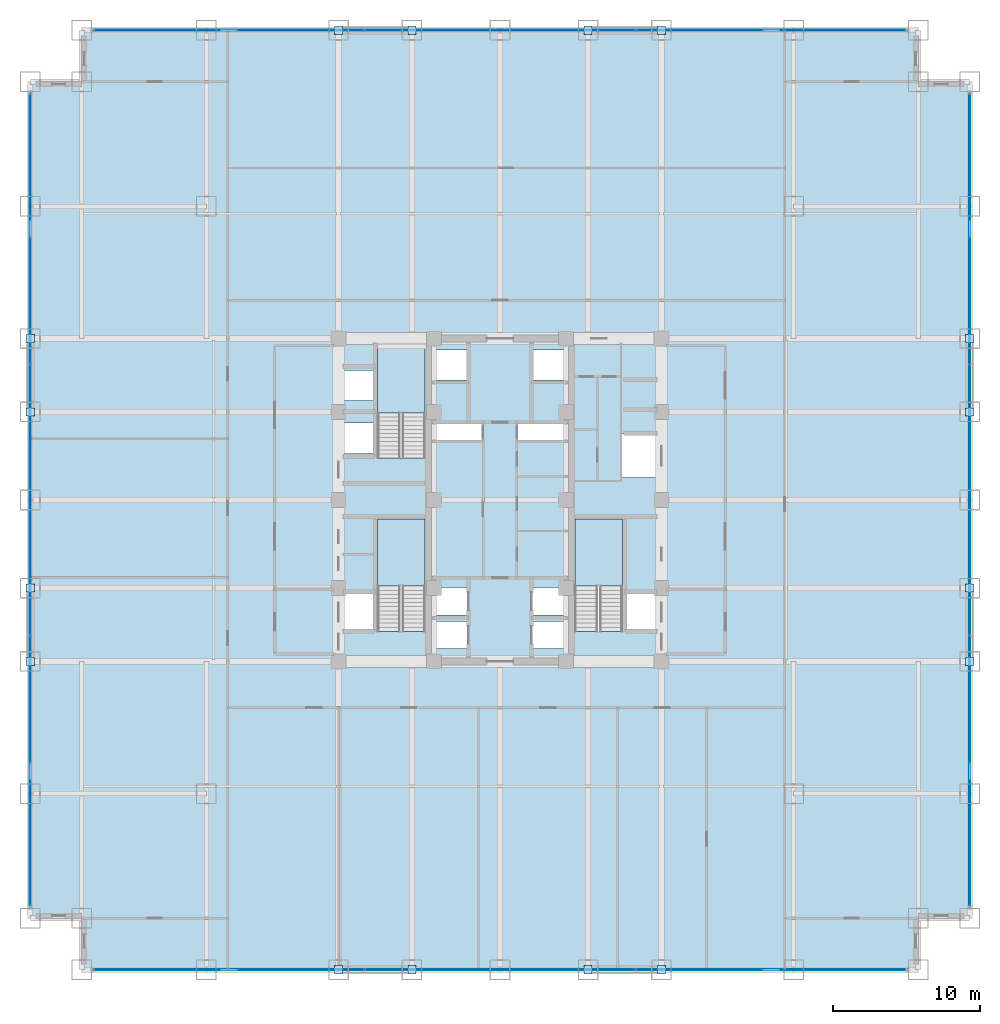
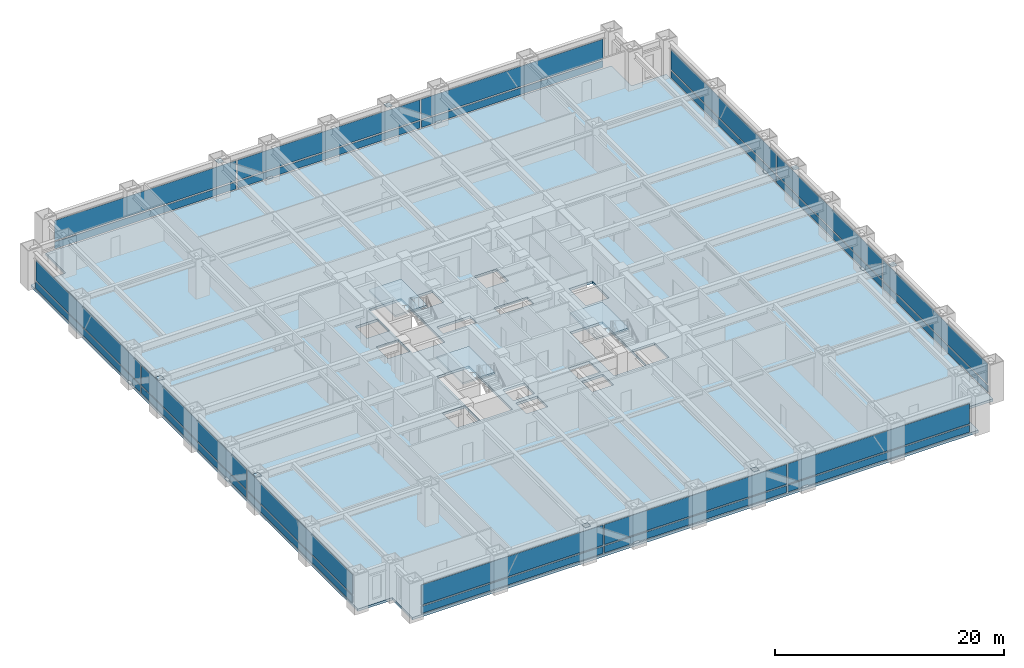
# One storey, part 22 of 27: 40 plates, 4 slabs, 7 elements without a shape of their own.
"""IFC4 building model written with IfcOpenShell, lengths in metres."""

import ifcopenshell
import ifcopenshell.guid

model = None  # the IFC model being written
_history = None  # IfcOwnerHistory: only IFC2X3 demands one
_inside = {}  # id of a spatial element -> (the spatial element, [elements in it])
_under = {}  # id of a project, library or spatial element -> (it, [spatial elements below it])
_declared = {}  # id of a project -> (the project, [libraries it declares])
_typed = {}  # id of a type object -> (the type object, [elements of that type])
_made_of = {}  # id of a material, layer set ... -> (it, [elements and type objects made of it])


def new_model(schema):
    """Start an empty IFC model of exactly this schema.

    Asked for "IFC4X3", IfcOpenShell would pick the latest addendum, in which some entities
    have other attributes; the version numbers below select the first issue.
    IFC2X3 requires an IfcOwnerHistory on every rooted entity: one is made here for all.
    """
    global model, _history
    if schema == "IFC4X3":
        model = ifcopenshell.file(schema_version=(4, 3, 0, 0))
    else:
        model = ifcopenshell.file(schema=schema)
    _inside.clear()
    _under.clear()
    _declared.clear()
    _typed.clear()
    _made_of.clear()
    _history = None
    if model.schema == "IFC2X3":
        org = make("IfcOrganization", Name="unknown")
        user = make(
            "IfcPersonAndOrganization",
            ThePerson=make("IfcPerson", FamilyName="unknown"),
            TheOrganization=org,
        )
        app = make(
            "IfcApplication",
            ApplicationDeveloper=org,
            Version="unknown",
            ApplicationFullName="unknown",
            ApplicationIdentifier="unknown",
        )
        _history = make(
            "IfcOwnerHistory",
            OwningUser=user,
            OwningApplication=app,
            ChangeAction="ADDED",
            CreationDate=0,
        )
    return model


def make(cls, **values):
    """One entity of the class cls with the attributes given. An attribute that is None is left unset."""
    return model.create_entity(
        cls, **{name: value for name, value in values.items() if value is not None}
    )


def rooted(cls, **values):
    """An entity with a GlobalId (a new one), such as an element, a storey or a relation."""
    return make(cls, GlobalId=ifcopenshell.guid.new(), OwnerHistory=_history, **values)


def si_unit(unit_type, name, prefix=None):
    """IfcSIUnit, for example si_unit("LENGTHUNIT", "METRE", prefix="MILLI")."""
    return make("IfcSIUnit", UnitType=unit_type, Prefix=prefix, Name=name)


def assignment(units):
    """IfcUnitAssignment: the units of a project."""
    return None if units is None else make("IfcUnitAssignment", Units=units)


def point(xyz):
    """IfcCartesianPoint."""
    return None if xyz is None else make("IfcCartesianPoint", Coordinates=xyz)


def direction(xyz):
    """IfcDirection."""
    return None if xyz is None else make("IfcDirection", DirectionRatios=xyz)


def frame(location, z_axis=None, x_axis=None):
    """IfcAxis2Placement3D, a coordinate frame: its origin and axes. An axis left out is left unset."""
    return make(
        "IfcAxis2Placement3D",
        Location=point(location),
        Axis=direction(z_axis),
        RefDirection=direction(x_axis),
    )


def frame_2d(location, x_axis=None):
    """IfcAxis2Placement2D, a coordinate frame in the plane: its origin and x axis."""
    return make(
        "IfcAxis2Placement2D", Location=point(location), RefDirection=direction(x_axis)
    )


def origin():
    """The frame at (0, 0, 0) with its axes left unset."""
    return frame((0.0, 0.0, 0.0))


def origin_2d():
    """The frame at (0, 0) in the plane with its x axis left unset."""
    return frame_2d((0.0, 0.0))


def place(relative_to, where):
    """IfcLocalPlacement: puts the frame where relative to a parent placement (None: the world)."""
    return make(
        "IfcLocalPlacement", PlacementRelTo=relative_to, RelativePlacement=where
    )


def context(
    kind, dimensions, precision=None, world=None, true_north=None, identifier=None
):
    """IfcGeometricRepresentationContext, for example the 3D "Model" context."""
    return make(
        "IfcGeometricRepresentationContext",
        ContextIdentifier=identifier,
        ContextType=kind,
        CoordinateSpaceDimension=dimensions,
        Precision=precision,
        WorldCoordinateSystem=world,
        TrueNorth=true_north,
    )


def subcontext(parent, identifier, kind, view, scale=None):
    """IfcGeometricRepresentationSubContext, for example "Body" below "Model"."""
    return make(
        "IfcGeometricRepresentationSubContext",
        ContextIdentifier=identifier,
        ContextType=kind,
        ParentContext=parent,
        TargetScale=scale,
        TargetView=view,
    )


def project(units=None, contexts=None):
    """IfcProject with its units and contexts."""
    return rooted(
        "IfcProject",
        Name="project",
        RepresentationContexts=contexts,
        UnitsInContext=assignment(units),
    )


def spatial(cls, under=None, at=None, **own):
    """A site, building, storey or space (cls), placed at a placement, below another one or the project."""
    s = rooted(cls, ObjectPlacement=at, **own)
    if under is not None:
        _under.setdefault(under.id(), (under, []))[1].append(s)
    return s


def polyline(points):
    """IfcPolyline through the points."""
    return make("IfcPolyline", Points=[point(p) for p in points])


def profile(cls, at=None, kind="AREA", **sizes):
    """A parametric profile (cls). Its sizes go by their IFC names, for example OverallWidth=200.0."""
    return make(cls, ProfileType=kind, Position=at, **sizes)


def rectangle(**sizes):
    """IfcRectangleProfileDef."""
    return profile("IfcRectangleProfileDef", **sizes)


def outline(outer, holes=None, kind="AREA"):
    """IfcArbitraryClosedProfileDef: a profile drawn as a closed curve; with holes, ...WithVoids."""
    if holes is None:
        return make("IfcArbitraryClosedProfileDef", ProfileType=kind, OuterCurve=outer)
    return make(
        "IfcArbitraryProfileDefWithVoids",
        ProfileType=kind,
        OuterCurve=outer,
        InnerCurves=holes,
    )


def extrude(swept, where, along, depth):
    """IfcExtrudedAreaSolid: the profile swept, set in the frame where, extruded along a direction by depth."""
    return make(
        "IfcExtrudedAreaSolid",
        SweptArea=swept,
        Position=where,
        ExtrudedDirection=direction(along),
        Depth=depth,
    )


def shape(context_of_items, identifier, shape_type, items):
    """IfcShapeRepresentation: the items that make up one representation, for example the "Body"."""
    return make(
        "IfcShapeRepresentation",
        ContextOfItems=context_of_items,
        RepresentationIdentifier=identifier,
        RepresentationType=shape_type,
        Items=items,
    )


def source(mapping_origin, context_of_items, identifier, shape_type, items):
    """IfcRepresentationMap: a shape defined once, which mapped items show again and again."""
    return make(
        "IfcRepresentationMap",
        MappingOrigin=mapping_origin,
        MappedRepresentation=shape(context_of_items, identifier, shape_type, items),
    )


def transform(
    local_origin,
    x_axis=None,
    y_axis=None,
    z_axis=None,
    scale=None,
    scale2=None,
    scale3=None,
    uniform=True,
):
    """IfcCartesianTransformationOperator3D, or its non-uniform kind. x_axis, y_axis, z_axis: its Axis1, 2, 3."""
    if uniform:
        return make(
            "IfcCartesianTransformationOperator3D",
            Axis1=direction(x_axis),
            Axis2=direction(y_axis),
            LocalOrigin=point(local_origin),
            Scale=scale,
            Axis3=direction(z_axis),
        )
    return make(
        "IfcCartesianTransformationOperator3DnonUniform",
        Axis1=direction(x_axis),
        Axis2=direction(y_axis),
        LocalOrigin=point(local_origin),
        Scale=scale,
        Axis3=direction(z_axis),
        Scale2=scale2,
        Scale3=scale3,
    )


def mapped(mapping_source, mapping_target):
    """IfcMappedItem: shows the shape of a source again, moved by a transform."""
    return make(
        "IfcMappedItem", MappingSource=mapping_source, MappingTarget=mapping_target
    )


def material(Name=None, Category=None):
    """IfcMaterial."""
    return make("IfcMaterial", Name=Name, Category=Category)


def layer(
    of_material, thickness, ventilated=None, Name=None, Category=None, Priority=None
):
    """IfcMaterialLayer: one layer of a wall or slab, of a material (None: an air gap)."""
    return make(
        "IfcMaterialLayer",
        Material=of_material,
        LayerThickness=thickness,
        IsVentilated=ventilated,
        Name=Name,
        Category=Category,
        Priority=Priority,
    )


def layer_set(layers, Name=None):
    """IfcMaterialLayerSet."""
    return make("IfcMaterialLayerSet", MaterialLayers=layers, LayerSetName=Name)


def made_of(thing, what):
    """Note that an element or type object is made of a material, layer set ...; save() writes the relation."""
    if what is not None:
        _made_of.setdefault(what.id(), (what, []))[1].append(thing)
    return thing


def type_object(cls, material=None, **own):
    """A type object (cls), such as IfcWallType, which elements share."""
    return made_of(rooted(cls, **own), material)


def element(
    cls,
    number,
    at=None,
    inside=None,
    cuts=None,
    type_object=None,
    material=None,
    context=None,
    identifier="Body",
    shape_type=None,
    held_by="IfcProductDefinitionShape",
    body=None,
    shapes=None,
    **own,
):
    """One element of the class cls, such as IfcWall. Its Tag is "e" and its number.

    at: its placement. inside: the storey or other place that contains it. cuts: it is an
    opening in that element (IfcRelVoidsElement). A single representation is given by context,
    identifier, shape_type and body (its items); several are given by shapes. held_by: the class
    of the entity that holds the representations. save() writes the other relations.
    """
    e = rooted(cls, Tag="e%d" % number, ObjectPlacement=at, **own)
    if body is not None:
        shapes = [shape(context, identifier, shape_type, body)]
    if shapes is not None:
        e.Representation = make(held_by, Representations=shapes)
    if inside is not None:
        _inside.setdefault(inside.id(), (inside, []))[1].append(e)
    if cuts is not None:
        rooted(
            "IfcRelVoidsElement", RelatingBuildingElement=cuts, RelatedOpeningElement=e
        )
    if type_object is not None:
        _typed.setdefault(type_object.id(), (type_object, []))[1].append(e)
    return made_of(e, material)


def aggregate(whole, parts):
    """IfcRelAggregates: a whole, such as a stair, and the parts it consists of."""
    return rooted("IfcRelAggregates", RelatingObject=whole, RelatedObjects=parts)


def save(model, path):
    """Write the relations noted so far, then the file.

    IfcRelAggregates (storeys below a building ...), IfcRelContainedInSpatialStructure (elements
    in a storey), IfcRelDefinesByType, IfcRelAssociatesMaterial and IfcRelDeclares: one each for
    every whole, place, type object, material and project.
    """
    for whole, parts in _under.values():
        aggregate(whole, parts)
    for where, things in _inside.values():
        rooted(
            "IfcRelContainedInSpatialStructure",
            RelatedElements=things,
            RelatingStructure=where,
        )
    for kind, things in _typed.values():
        rooted("IfcRelDefinesByType", RelatedObjects=things, RelatingType=kind)
    for what, things in _made_of.values():
        rooted("IfcRelAssociatesMaterial", RelatedObjects=things, RelatingMaterial=what)
    for by, libraries in _declared.values():
        rooted("IfcRelDeclares", RelatingContext=by, RelatedDefinitions=libraries)
    model.write(path)


model = new_model("IFC4")

# Units and contexts
model_context = context("Model", 3, precision=1e-05, world=origin(), true_north=direction((0.0, 1.0)))
body_context = subcontext(model_context, "Body", "Model", "MODEL_VIEW")
ifc_project = project(units=[si_unit("LENGTHUNIT", "METRE"), si_unit("AREAUNIT", "SQUARE_METRE"), si_unit("VOLUMEUNIT", "CUBIC_METRE"), si_unit("PLANEANGLEUNIT", "RADIAN"), si_unit("MASSUNIT", "GRAM", prefix="KILO")], contexts=[model_context])

# Site, building, storey
site_placement = place(None, origin())
site = spatial("IfcSite", under=ifc_project, at=site_placement, CompositionType="ELEMENT")
building_placement = place(site_placement, origin())
building = spatial("IfcBuilding", under=site, at=building_placement, Name="Khorayat Bourse Tower", CompositionType="ELEMENT")
storey_placement = place(building_placement, frame((0.0, 0.0, 49.39990234375)))
storey = spatial("IfcBuildingStorey", under=building, at=storey_placement, Name="L10", CompositionType="ELEMENT", Elevation=49.39990234375)

# Stair, slab
ifc_material_1 = material(Name="Concrete C40/50", Category="concrete")
stair_type = type_object("IfcStairType", Name="STR-CORE-1550", PredefinedType="HALF_TURN_STAIR", material=ifc_material_1)
stair_1_placement = place(storey_placement, origin())
stair_1 = element("IfcStair", 1, at=stair_1_placement, inside=storey, type_object=stair_type, Name="L10 Exit Stair ST-1", PredefinedType="HALF_TURN_STAIR")
ifc_layer_1 = layer(ifc_material_1, 0.199951171875)
ifc_layer_set_1 = layer_set([ifc_layer_1], Name="Concrete C40/50")
slab_type_1 = type_object("IfcSlabType", Name="SLB-LANDING-200", PredefinedType="LANDING", material=ifc_layer_set_1)
slab_1_placement = place(storey_placement, frame((0.0, 0.0, 1.900146484375)))
slab_1 = element("IfcSlab", 2, at=slab_1_placement, type_object=slab_type_1, Name="ST-1 landing 1", PredefinedType="LANDING", context=body_context, shape_type="SweptSolid", body=[
    extrude(outline(polyline([(-5.10009765625, -5.8701171875), (-5.10009765625, -1.300048828125), (-8.35009765625, -1.300048828125), (-8.35009765625, -5.8701171875), (-5.10009765625, -5.8701171875)])), origin(), (0.0, 0.0, 1.0), 0.199951171875),
])
aggregate(stair_1, [slab_1])

stair_2_placement = place(storey_placement, origin())
stair_2 = element("IfcStair", 3, at=stair_2_placement, inside=storey, type_object=stair_type, Name="L10 Exit Stair ST-2", PredefinedType="HALF_TURN_STAIR")
slab_2_placement = place(storey_placement, frame((0.0, 0.0, 1.900146484375)))
slab_2 = element("IfcSlab", 4, at=slab_2_placement, type_object=slab_type_1, Name="ST-2 landing 1", PredefinedType="LANDING", context=body_context, shape_type="SweptSolid", body=[
    extrude(outline(polyline([(-5.10009765625, 5.929931640625), (-5.10009765625, 10.5), (-8.35009765625, 10.5), (-8.35009765625, 5.929931640625), (-5.10009765625, 5.929931640625)])), origin(), (0.0, 0.0, 1.0), 0.199951171875),
])
aggregate(stair_2, [slab_2])

stair_3_placement = place(storey_placement, origin())
stair_3 = element("IfcStair", 5, at=stair_3_placement, inside=storey, type_object=stair_type, Name="L10 Exit Stair ST-3", PredefinedType="HALF_TURN_STAIR")
slab_3_placement = place(storey_placement, frame((0.0, 0.0, 1.900146484375)))
slab_3 = element("IfcSlab", 6, at=slab_3_placement, type_object=slab_type_1, Name="ST-3 landing 1", PredefinedType="LANDING", context=body_context, shape_type="SweptSolid", body=[
    extrude(outline(polyline([(8.35009765625, -5.8701171875), (8.35009765625, -1.300048828125), (5.10009765625, -1.300048828125), (5.10009765625, -5.8701171875), (8.35009765625, -5.8701171875)])), origin(), (0.0, 0.0, 1.0), 0.199951171875),
])
aggregate(stair_3, [slab_3])

# Slab
ifc_layer_2 = layer(ifc_material_1, 0.260009765625)
ifc_layer_set_2 = layer_set([ifc_layer_2], Name="Concrete C40/50")
slab_type_2 = type_object("IfcSlabType", Name="SLB-TRADE-260", PredefinedType="FLOOR", material=ifc_layer_set_2)
slab_4_placement = place(storey_placement, frame((0.0, 0.0, -0.260009765625)))
element("IfcSlab", 7, at=slab_4_placement, inside=storey, type_object=slab_type_2, Name="L10 Main Floor Slab", PredefinedType="FLOOR", context=body_context, shape_type="SweptSolid", body=[
    extrude(outline(polyline([(-28.5, -32.0), (28.5, -32.0), (28.5, -28.5), (32.0, -28.5), (32.0, 28.5), (28.5, 28.5), (28.5, 32.0), (-28.5, 32.0), (-28.5, 28.5), (-32.0, 28.5), (-32.0, -28.5), (-28.5, -28.5), (-28.5, -32.0)]), holes=[polyline([(-8.35009765625, -8.945068359375), (-5.10009765625, -8.945068359375), (-5.10009765625, -1.300048828125), (-8.35009765625, -1.300048828125), (-8.35009765625, -8.945068359375)]), polyline([(-8.35009765625, 2.85498046875), (-5.10009765625, 2.85498046875), (-5.10009765625, 10.5), (-8.35009765625, 10.5), (-8.35009765625, 2.85498046875)]), polyline([(5.10009765625, -8.945068359375), (8.35009765625, -8.945068359375), (8.35009765625, -1.300048828125), (5.10009765625, -1.300048828125), (5.10009765625, -8.945068359375)]), polyline([(-4.3798828125, -10.1298828125), (-2.219970703125, -10.1298828125), (-2.219970703125, -8.27001953125), (-4.3798828125, -8.27001953125), (-4.3798828125, -10.1298828125)]), polyline([(2.219970703125, -10.1298828125), (4.3798828125, -10.1298828125), (4.3798828125, -8.27001953125), (2.219970703125, -8.27001953125), (2.219970703125, -10.1298828125)]), polyline([(-4.3798828125, -7.830078125), (-2.219970703125, -7.830078125), (-2.219970703125, -5.969970703125), (-4.3798828125, -5.969970703125), (-4.3798828125, -7.830078125)]), polyline([(2.219970703125, -7.830078125), (4.3798828125, -7.830078125), (4.3798828125, -5.969970703125), (2.219970703125, -5.969970703125), (2.219970703125, -7.830078125)]), polyline([(-4.3798828125, 8.169921875), (-2.1201171875, 8.169921875), (-2.1201171875, 10.22998046875), (-4.3798828125, 10.22998046875), (-4.3798828125, 8.169921875)]), polyline([(2.1201171875, 8.169921875), (4.3798828125, 8.169921875), (4.3798828125, 10.22998046875), (2.1201171875, 10.22998046875), (2.1201171875, 8.169921875)]), polyline([(-10.679931640625, 3.169921875), (-8.419921875, 3.169921875), (-8.419921875, 5.22998046875), (-10.679931640625, 5.22998046875), (-10.679931640625, 3.169921875)]), polyline([(-10.679931640625, 6.77001953125), (-8.419921875, 6.77001953125), (-8.419921875, 8.830078125), (-10.679931640625, 8.830078125), (-10.679931640625, 6.77001953125)]), polyline([(-10.679931640625, -8.929931640625), (-8.419921875, -8.929931640625), (-8.419921875, -6.3701171875), (-10.679931640625, -6.3701171875), (-10.679931640625, -8.929931640625)]), polyline([(8.419921875, -8.929931640625), (10.679931640625, -8.929931640625), (10.679931640625, -6.3701171875), (8.419921875, -6.3701171875), (8.419921875, -8.929931640625)]), polyline([(8.320068359375, 1.52001953125), (10.679931640625, 1.52001953125), (10.679931640625, 4.47998046875), (8.320068359375, 4.47998046875), (8.320068359375, 1.52001953125)]), polyline([(-4.56005859375, 4.080078125), (-1.18994140625, 4.080078125), (-1.18994140625, 5.219970703125), (-4.56005859375, 5.219970703125), (-4.56005859375, 4.080078125)]), polyline([(1.18994140625, 4.080078125), (4.56005859375, 4.080078125), (4.56005859375, 5.219970703125), (1.18994140625, 5.219970703125), (1.18994140625, 4.080078125)])]), origin(), (0.0, 0.0, 1.0), 0.260009765625),
])

# Plates
ifc_material_2 = material(Name="Steel EN 10025-2 S355J2", Category="steel")
ifc_layer_3 = layer(ifc_material_2, 0.02490234375)
ifc_layer_set_3 = layer_set([ifc_layer_3], Name="Steel EN 10025-2 S355J2")
plate_type_1 = type_object("IfcPlateType", Name="PLT-ENDCAP-25", PredefinedType="SHEET", material=ifc_layer_set_3)
shared_shape_1 = source(origin(), body_context, "Body", "SweptSolid", [
    extrude(rectangle(XDim=0.56005859375, YDim=0.56005859375, at=origin_2d()), origin(), (0.0, 0.0, 1.0), 0.02490234375),
])
for number, where, z_axis, x_axis, name in (
    (8, (-11.0, -32.0, 3.677734375), (0.0, 0.0, 1.0), (1.0, 0.0, 0.0), "L10 Perimeter Brace End Plate 001"),
    (9, (-6.0, -32.0, 0.237548828125), (0.0, 0.0, 1.0), (1.0, 0.0, 0.0), "L10 Perimeter Brace End Plate 002"),
    (10, (6.0, -32.0, 3.677734375), (0.0, 0.0, 1.0), (1.0, 0.0, 0.0), "L10 Perimeter Brace End Plate 003"),
    (11, (11.0, -32.0, 0.237548828125), (0.0, 0.0, 1.0), (1.0, 0.0, 0.0), "L10 Perimeter Brace End Plate 004"),
    (12, (-11.0, 32.0, 3.677734375), (0.0, 0.0, 1.0), (1.0, 0.0, 0.0), "L10 Perimeter Brace End Plate 005"),
    (13, (-6.0, 32.0, 0.237548828125), (0.0, 0.0, 1.0), (1.0, 0.0, 0.0), "L10 Perimeter Brace End Plate 006"),
    (14, (6.0, 32.0, 3.677734375), (0.0, 0.0, 1.0), (1.0, 0.0, 0.0), "L10 Perimeter Brace End Plate 007"),
    (15, (11.0, 32.0, 0.237548828125), (0.0, 0.0, 1.0), (1.0, 0.0, 0.0), "L10 Perimeter Brace End Plate 008"),
    (16, (-32.0, -11.0, 3.677734375), (0.0, 0.0, 1.0), (1.0, 0.0, 0.0), "L10 Perimeter Brace End Plate 009"),
    (17, (-32.0, -6.0, 0.237548828125), (0.0, 0.0, 1.0), (1.0, 0.0, 0.0), "L10 Perimeter Brace End Plate 010"),
    (18, (-32.0, 6.0, 3.677734375), (0.0, 0.0, 1.0), (1.0, 0.0, 0.0), "L10 Perimeter Brace End Plate 011"),
    (19, (-32.0, 11.0, 0.237548828125), (0.0, 0.0, 1.0), (1.0, 0.0, 0.0), "L10 Perimeter Brace End Plate 012"),
    (20, (32.0, -11.0, 3.677734375), (0.0, 0.0, 1.0), (1.0, 0.0, 0.0), "L10 Perimeter Brace End Plate 013"),
    (21, (32.0, -6.0, 0.237548828125), (0.0, 0.0, 1.0), (1.0, 0.0, 0.0), "L10 Perimeter Brace End Plate 014"),
    (22, (32.0, 6.0, 3.677734375), (0.0, 0.0, 1.0), (1.0, 0.0, 0.0), "L10 Perimeter Brace End Plate 015"),
    (23, (32.0, 11.0, 0.237548828125), (0.0, 0.0, 1.0), (1.0, 0.0, 0.0), "L10 Perimeter Brace End Plate 016"),
):
    element("IfcPlate", number, at=place(storey_placement, frame(where, z_axis=z_axis, x_axis=x_axis)), inside=storey, type_object=plate_type_1, Name=name, PredefinedType="SHEET", context=body_context, shape_type="MappedRepresentation", body=[
        mapped(shared_shape_1, transform((0.0, 0.0, 0.0), scale=1.0)),
    ])

# Curtain wall, plates
ifc_material_3 = material(Name="Aluminium EN AW-6063 T6", Category="aluminium")
curtain_wall_type = type_object("IfcCurtainWallType", Name="CW-SYS-02", PredefinedType="NOTDEFINED", material=ifc_material_3)
curtain_wall_1_placement = place(storey_placement, origin())
curtain_wall_1 = element("IfcCurtainWall", 24, at=curtain_wall_1_placement, inside=storey, type_object=curtain_wall_type, Name="L10 Curtain Wall CW-L10-S1", PredefinedType="NOTDEFINED")
ifc_material_4 = material(Name="Honed desert limestone insulated spandrel", Category="masonry")
ifc_layer_4 = layer(ifc_material_4, 0.06494140625)
ifc_layer_set_4 = layer_set([ifc_layer_4], Name="Honed desert limestone insulated spandrel")
plate_type_2 = type_object("IfcPlateType", Name="CWP-SPAND-03", PredefinedType="CURTAIN_PANEL", material=ifc_layer_set_4)
shared_shape_2 = source(origin(), body_context, "Body", "SweptSolid", [
    extrude(rectangle(XDim=18.2900390625, YDim=0.06494140625, at=origin_2d()), origin(), (0.0, 0.0, 1.0), 0.739990234375),
])
plate_1_placement = place(storey_placement, frame((-18.465087890625, -32.0, 0.14013671875), z_axis=(0.0, 0.0, 1.0), x_axis=(1.0, 0.0, 0.0)))
plate_1 = element("IfcPlate", 25, at=plate_1_placement, type_object=plate_type_2, Name="CW-L10-S1 Spandrel Panel 1-1", PredefinedType="CURTAIN_PANEL", context=body_context, shape_type="MappedRepresentation", body=[
    mapped(shared_shape_2, transform((0.0, 0.0, 0.0), scale=1.0)),
])
plate_2_placement = place(storey_placement, frame((18.465087890625, -32.0, 0.14013671875), z_axis=(0.0, 0.0, 1.0), x_axis=(1.0, 0.0, 0.0)))
plate_2 = element("IfcPlate", 26, at=plate_2_placement, type_object=plate_type_2, Name="CW-L10-S1 Spandrel Panel 3-1", PredefinedType="CURTAIN_PANEL", context=body_context, shape_type="MappedRepresentation", body=[
    mapped(shared_shape_2, transform((0.0, 0.0, 0.0), scale=1.0)),
])

curtain_wall_2_placement = place(storey_placement, origin())
curtain_wall_2 = element("IfcCurtainWall", 27, at=curtain_wall_2_placement, inside=storey, type_object=curtain_wall_type, Name="L10 Curtain Wall CW-L10-N1", PredefinedType="NOTDEFINED")
plate_3_placement = place(storey_placement, frame((-18.465087890625, 32.0, 0.14013671875), z_axis=(0.0, 0.0, 1.0), x_axis=(1.0, 0.0, 0.0)))
plate_3 = element("IfcPlate", 28, at=plate_3_placement, type_object=plate_type_2, Name="CW-L10-N1 Spandrel Panel 1-1", PredefinedType="CURTAIN_PANEL", context=body_context, shape_type="MappedRepresentation", body=[
    mapped(shared_shape_2, transform((0.0, 0.0, 0.0), scale=1.0)),
])
plate_4_placement = place(storey_placement, frame((18.465087890625, 32.0, 0.14013671875), z_axis=(0.0, 0.0, 1.0), x_axis=(1.0, 0.0, 0.0)))
plate_4 = element("IfcPlate", 29, at=plate_4_placement, type_object=plate_type_2, Name="CW-L10-N1 Spandrel Panel 3-1", PredefinedType="CURTAIN_PANEL", context=body_context, shape_type="MappedRepresentation", body=[
    mapped(shared_shape_2, transform((0.0, 0.0, 0.0), scale=1.0)),
])

curtain_wall_3_placement = place(storey_placement, origin())
curtain_wall_3 = element("IfcCurtainWall", 30, at=curtain_wall_3_placement, inside=storey, type_object=curtain_wall_type, Name="L10 Curtain Wall CW-L10-W1", PredefinedType="NOTDEFINED")
plate_5_placement = place(storey_placement, frame((-32.0, -18.465087890625, 0.14013671875), z_axis=(0.0, 0.0, 1.0), x_axis=(0.0, 1.0, 0.0)))
plate_5 = element("IfcPlate", 31, at=plate_5_placement, type_object=plate_type_2, Name="CW-L10-W1 Spandrel Panel 1-1", PredefinedType="CURTAIN_PANEL", context=body_context, shape_type="MappedRepresentation", body=[
    mapped(shared_shape_2, transform((0.0, 0.0, 0.0), scale=1.0)),
])
plate_6_placement = place(storey_placement, frame((-32.0, 18.465087890625, 0.14013671875), z_axis=(0.0, 0.0, 1.0), x_axis=(0.0, 1.0, 0.0)))
plate_6 = element("IfcPlate", 32, at=plate_6_placement, type_object=plate_type_2, Name="CW-L10-W1 Spandrel Panel 3-1", PredefinedType="CURTAIN_PANEL", context=body_context, shape_type="MappedRepresentation", body=[
    mapped(shared_shape_2, transform((0.0, 0.0, 0.0), scale=1.0)),
])

curtain_wall_4_placement = place(storey_placement, origin())
curtain_wall_4 = element("IfcCurtainWall", 33, at=curtain_wall_4_placement, inside=storey, type_object=curtain_wall_type, Name="L10 Curtain Wall CW-L10-E1", PredefinedType="NOTDEFINED")
plate_7_placement = place(storey_placement, frame((32.0, -18.465087890625, 0.14013671875), z_axis=(0.0, 0.0, 1.0), x_axis=(0.0, 1.0, 0.0)))
plate_7 = element("IfcPlate", 34, at=plate_7_placement, type_object=plate_type_2, Name="CW-L10-E1 Spandrel Panel 1-1", PredefinedType="CURTAIN_PANEL", context=body_context, shape_type="MappedRepresentation", body=[
    mapped(shared_shape_2, transform((0.0, 0.0, 0.0), scale=1.0)),
])
plate_8_placement = place(storey_placement, frame((32.0, 18.465087890625, 0.14013671875), z_axis=(0.0, 0.0, 1.0), x_axis=(0.0, 1.0, 0.0)))
plate_8 = element("IfcPlate", 35, at=plate_8_placement, type_object=plate_type_2, Name="CW-L10-E1 Spandrel Panel 3-1", PredefinedType="CURTAIN_PANEL", context=body_context, shape_type="MappedRepresentation", body=[
    mapped(shared_shape_2, transform((0.0, 0.0, 0.0), scale=1.0)),
])

# Plate
ifc_material_5 = material(Name="Low-E solar-control laminated double glazing", Category="glass")
ifc_layer_5 = layer(ifc_material_5, 0.0419921875)
ifc_layer_set_5 = layer_set([ifc_layer_5], Name="Low-E solar-control laminated double glazing")
plate_type_3 = type_object("IfcPlateType", Name="CWP-FACET-02", PredefinedType="CURTAIN_PANEL", material=ifc_layer_set_5)
shared_shape_3 = source(origin(), body_context, "Body", "SweptSolid", [
    extrude(rectangle(XDim=18.2900390625, YDim=0.0419921875, at=origin_2d()), origin(), (0.0, 0.0, 1.0), 2.1298828125),
])
plate_9_placement = place(storey_placement, frame((-18.465087890625, -32.0, 1.020263671875), z_axis=(0.0, 0.0, 1.0), x_axis=(1.0, 0.0, 0.0)))
plate_9 = element("IfcPlate", 36, at=plate_9_placement, type_object=plate_type_3, Name="CW-L10-S1 Vision Panel 1-2", PredefinedType="CURTAIN_PANEL", context=body_context, shape_type="MappedRepresentation", body=[
    mapped(shared_shape_3, transform((0.0, 0.0, 0.0), scale=1.0)),
])

plate_10_placement = place(storey_placement, frame((18.465087890625, -32.0, 1.020263671875), z_axis=(0.0, 0.0, 1.0), x_axis=(1.0, 0.0, 0.0)))
plate_10 = element("IfcPlate", 37, at=plate_10_placement, type_object=plate_type_3, Name="CW-L10-S1 Vision Panel 3-2", PredefinedType="CURTAIN_PANEL", context=body_context, shape_type="MappedRepresentation", body=[
    mapped(shared_shape_3, transform((0.0, 0.0, 0.0), scale=1.0)),
])

plate_11_placement = place(storey_placement, frame((-18.465087890625, 32.0, 1.020263671875), z_axis=(0.0, 0.0, 1.0), x_axis=(1.0, 0.0, 0.0)))
plate_11 = element("IfcPlate", 38, at=plate_11_placement, type_object=plate_type_3, Name="CW-L10-N1 Vision Panel 1-2", PredefinedType="CURTAIN_PANEL", context=body_context, shape_type="MappedRepresentation", body=[
    mapped(shared_shape_3, transform((0.0, 0.0, 0.0), scale=1.0)),
])

plate_12_placement = place(storey_placement, frame((18.465087890625, 32.0, 1.020263671875), z_axis=(0.0, 0.0, 1.0), x_axis=(1.0, 0.0, 0.0)))
plate_12 = element("IfcPlate", 39, at=plate_12_placement, type_object=plate_type_3, Name="CW-L10-N1 Vision Panel 3-2", PredefinedType="CURTAIN_PANEL", context=body_context, shape_type="MappedRepresentation", body=[
    mapped(shared_shape_3, transform((0.0, 0.0, 0.0), scale=1.0)),
])

plate_13_placement = place(storey_placement, frame((-32.0, -18.465087890625, 1.020263671875), z_axis=(0.0, 0.0, 1.0), x_axis=(0.0, 1.0, 0.0)))
plate_13 = element("IfcPlate", 40, at=plate_13_placement, type_object=plate_type_3, Name="CW-L10-W1 Vision Panel 1-2", PredefinedType="CURTAIN_PANEL", context=body_context, shape_type="MappedRepresentation", body=[
    mapped(shared_shape_3, transform((0.0, 0.0, 0.0), scale=1.0)),
])

plate_14_placement = place(storey_placement, frame((-32.0, 18.465087890625, 1.020263671875), z_axis=(0.0, 0.0, 1.0), x_axis=(0.0, 1.0, 0.0)))
plate_14 = element("IfcPlate", 41, at=plate_14_placement, type_object=plate_type_3, Name="CW-L10-W1 Vision Panel 3-2", PredefinedType="CURTAIN_PANEL", context=body_context, shape_type="MappedRepresentation", body=[
    mapped(shared_shape_3, transform((0.0, 0.0, 0.0), scale=1.0)),
])

plate_15_placement = place(storey_placement, frame((32.0, -18.465087890625, 1.020263671875), z_axis=(0.0, 0.0, 1.0), x_axis=(0.0, 1.0, 0.0)))
plate_15 = element("IfcPlate", 42, at=plate_15_placement, type_object=plate_type_3, Name="CW-L10-E1 Vision Panel 1-2", PredefinedType="CURTAIN_PANEL", context=body_context, shape_type="MappedRepresentation", body=[
    mapped(shared_shape_3, transform((0.0, 0.0, 0.0), scale=1.0)),
])

plate_16_placement = place(storey_placement, frame((32.0, 18.465087890625, 1.020263671875), z_axis=(0.0, 0.0, 1.0), x_axis=(0.0, 1.0, 0.0)))
plate_16 = element("IfcPlate", 43, at=plate_16_placement, type_object=plate_type_3, Name="CW-L10-E1 Vision Panel 3-2", PredefinedType="CURTAIN_PANEL", context=body_context, shape_type="MappedRepresentation", body=[
    mapped(shared_shape_3, transform((0.0, 0.0, 0.0), scale=1.0)),
])

shared_shape_4 = source(origin(), body_context, "Body", "SweptSolid", [
    extrude(rectangle(XDim=18.360107421875, YDim=0.06494140625, at=origin_2d()), origin(), (0.0, 0.0, 1.0), 0.739990234375),
])
plate_17_placement = place(storey_placement, frame((0.0, -32.0, 0.14013671875), z_axis=(0.0, 0.0, 1.0), x_axis=(1.0, 0.0, 0.0)))
plate_17 = element("IfcPlate", 44, at=plate_17_placement, type_object=plate_type_2, Name="CW-L10-S1 Spandrel Panel 2-1", PredefinedType="CURTAIN_PANEL", context=body_context, shape_type="MappedRepresentation", body=[
    mapped(shared_shape_4, transform((0.0, 0.0, 0.0), scale=1.0)),
])

plate_18_placement = place(storey_placement, frame((0.0, 32.0, 0.14013671875), z_axis=(0.0, 0.0, 1.0), x_axis=(1.0, 0.0, 0.0)))
plate_18 = element("IfcPlate", 45, at=plate_18_placement, type_object=plate_type_2, Name="CW-L10-N1 Spandrel Panel 2-1", PredefinedType="CURTAIN_PANEL", context=body_context, shape_type="MappedRepresentation", body=[
    mapped(shared_shape_4, transform((0.0, 0.0, 0.0), scale=1.0)),
])

plate_19_placement = place(storey_placement, frame((-32.0, 0.0, 0.14013671875), z_axis=(0.0, 0.0, 1.0), x_axis=(0.0, 1.0, 0.0)))
plate_19 = element("IfcPlate", 46, at=plate_19_placement, type_object=plate_type_2, Name="CW-L10-W1 Spandrel Panel 2-1", PredefinedType="CURTAIN_PANEL", context=body_context, shape_type="MappedRepresentation", body=[
    mapped(shared_shape_4, transform((0.0, 0.0, 0.0), scale=1.0)),
])

plate_20_placement = place(storey_placement, frame((32.0, 0.0, 0.14013671875), z_axis=(0.0, 0.0, 1.0), x_axis=(0.0, 1.0, 0.0)))
plate_20 = element("IfcPlate", 47, at=plate_20_placement, type_object=plate_type_2, Name="CW-L10-E1 Spandrel Panel 2-1", PredefinedType="CURTAIN_PANEL", context=body_context, shape_type="MappedRepresentation", body=[
    mapped(shared_shape_4, transform((0.0, 0.0, 0.0), scale=1.0)),
])

shared_shape_5 = source(origin(), body_context, "Body", "SweptSolid", [
    extrude(rectangle(XDim=18.360107421875, YDim=0.0419921875, at=origin_2d()), origin(), (0.0, 0.0, 1.0), 2.1298828125),
])
plate_21_placement = place(storey_placement, frame((0.0, -32.0, 1.020263671875), z_axis=(0.0, 0.0, 1.0), x_axis=(1.0, 0.0, 0.0)))
plate_21 = element("IfcPlate", 48, at=plate_21_placement, type_object=plate_type_3, Name="CW-L10-S1 Vision Panel 2-2", PredefinedType="CURTAIN_PANEL", context=body_context, shape_type="MappedRepresentation", body=[
    mapped(shared_shape_5, transform((0.0, 0.0, 0.0), scale=1.0)),
])

aggregate(curtain_wall_1, [plate_1, plate_9, plate_17, plate_21, plate_2, plate_10])

plate_22_placement = place(storey_placement, frame((0.0, 32.0, 1.020263671875), z_axis=(0.0, 0.0, 1.0), x_axis=(1.0, 0.0, 0.0)))
plate_22 = element("IfcPlate", 49, at=plate_22_placement, type_object=plate_type_3, Name="CW-L10-N1 Vision Panel 2-2", PredefinedType="CURTAIN_PANEL", context=body_context, shape_type="MappedRepresentation", body=[
    mapped(shared_shape_5, transform((0.0, 0.0, 0.0), scale=1.0)),
])

aggregate(curtain_wall_2, [plate_3, plate_11, plate_18, plate_22, plate_4, plate_12])

plate_23_placement = place(storey_placement, frame((-32.0, 0.0, 1.020263671875), z_axis=(0.0, 0.0, 1.0), x_axis=(0.0, 1.0, 0.0)))
plate_23 = element("IfcPlate", 50, at=plate_23_placement, type_object=plate_type_3, Name="CW-L10-W1 Vision Panel 2-2", PredefinedType="CURTAIN_PANEL", context=body_context, shape_type="MappedRepresentation", body=[
    mapped(shared_shape_5, transform((0.0, 0.0, 0.0), scale=1.0)),
])

aggregate(curtain_wall_3, [plate_5, plate_13, plate_19, plate_23, plate_6, plate_14])

plate_24_placement = place(storey_placement, frame((32.0, 0.0, 1.020263671875), z_axis=(0.0, 0.0, 1.0), x_axis=(0.0, 1.0, 0.0)))
plate_24 = element("IfcPlate", 51, at=plate_24_placement, type_object=plate_type_3, Name="CW-L10-E1 Vision Panel 2-2", PredefinedType="CURTAIN_PANEL", context=body_context, shape_type="MappedRepresentation", body=[
    mapped(shared_shape_5, transform((0.0, 0.0, 0.0), scale=1.0)),
])

aggregate(curtain_wall_4, [plate_7, plate_15, plate_20, plate_24, plate_8, plate_16])

save(model, "model.ifc")
